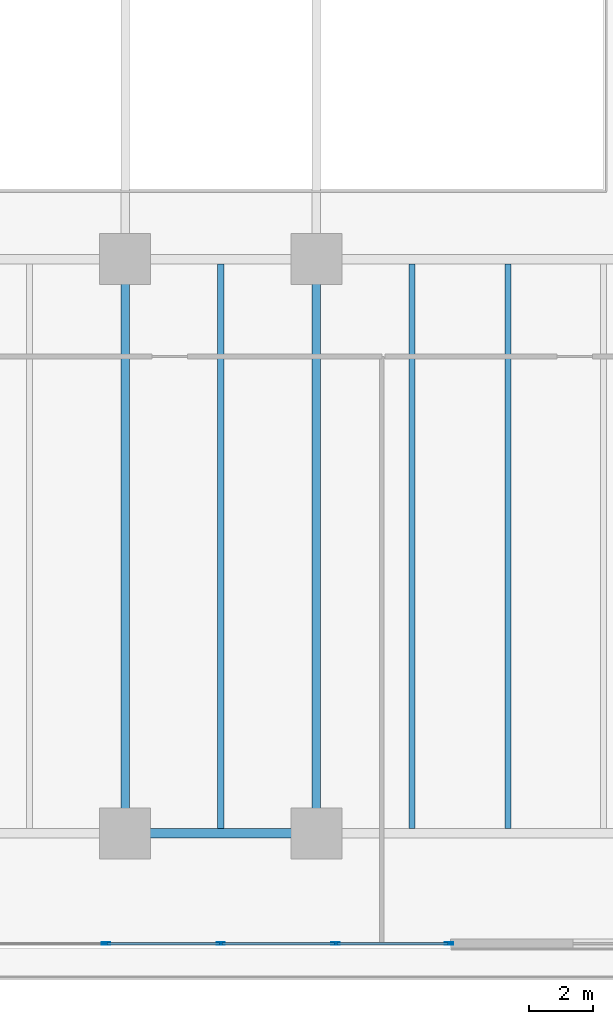
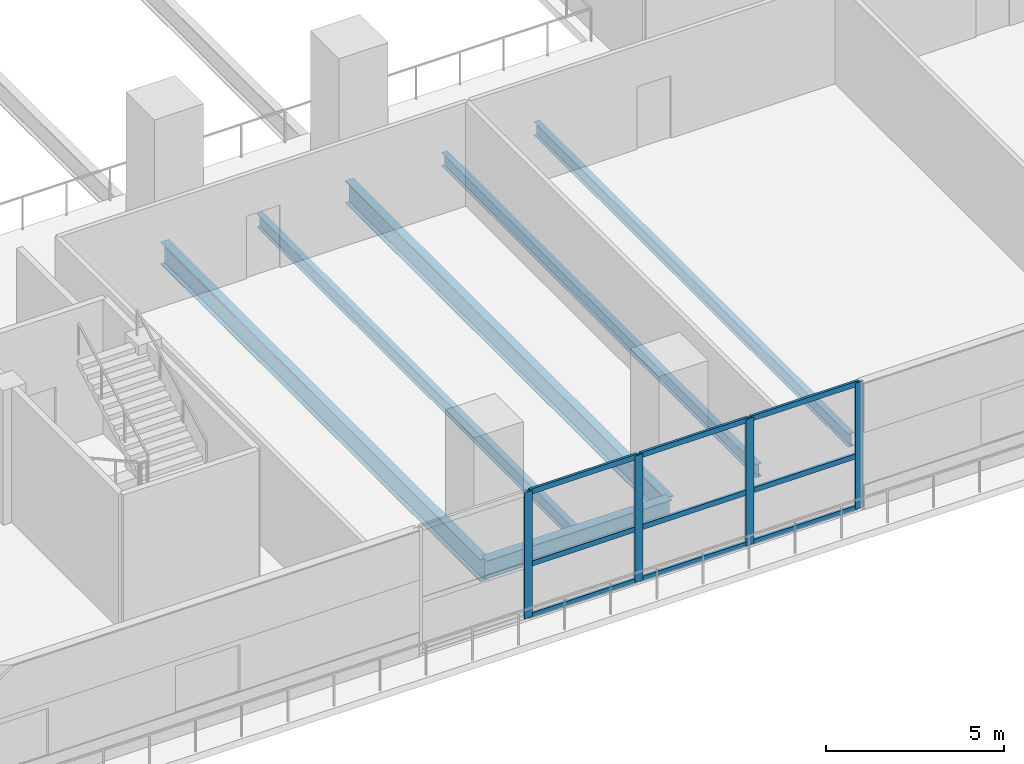
# One storey, part 4 of 27: 13 members, 6 beams, 1 element without a shape of its own.
"""IFC4 building model written with IfcOpenShell, lengths in metres."""

from ifc_helpers import new_model, si_unit, direction, frame, origin, origin_2d, place, context, subcontext, project, spatial, hollow_rectangle, i_section, extrude, material, layer, layer_set, material_profile, profile_set, type_object, element, aggregate, save


model = new_model("IFC4")

# Units and contexts
model_context = context("Model", 3, precision=1e-05, world=origin(), true_north=direction((0.0, 1.0)))
body_context = subcontext(model_context, "Body", "Model", "MODEL_VIEW")
ifc_project = project(units=[si_unit("LENGTHUNIT", "METRE"), si_unit("AREAUNIT", "SQUARE_METRE"), si_unit("VOLUMEUNIT", "CUBIC_METRE"), si_unit("PLANEANGLEUNIT", "RADIAN"), si_unit("MASSUNIT", "GRAM", prefix="KILO")], contexts=[model_context])

# Site, building, storey
site_placement = place(None, origin())
site = spatial("IfcSite", under=ifc_project, at=site_placement, CompositionType="ELEMENT")
building_placement = place(site_placement, origin())
building = spatial("IfcBuilding", under=site, at=building_placement, Name="Tanjung Sevakor Pilgrim Tower", CompositionType="ELEMENT")
storey_placement = place(building_placement, frame((0.0, 0.0, 14.85009765625)))
storey = spatial("IfcBuildingStorey", under=building, at=storey_placement, Name="L04", CompositionType="ELEMENT", Elevation=14.85009765625)

# Beams
ifc_material_1 = material(Name="Steel S355J2", Category="steel")
ifc_material_profile_1 = material_profile(ifc_material_1, i_section(OverallWidth=0.26806640625, OverallDepth=0.769775390625, WebThickness=0.015625, FlangeThickness=0.025390625, FilletRadius=0.0166015625, at=origin_2d()))
ifc_profile_set_1 = profile_set([ifc_material_profile_1], Name="Steel S355J2")
beam_type_1 = type_object("IfcBeamType", Name="BM-B-G1-UB_762x267x197", PredefinedType="BEAM", material=ifc_profile_set_1)
for number, where, z_axis, x_axis, name in (
    (1, (54.0, 6.60009765625, -0.6650390625), (0.0, 1.0, 0.0), (-1.0, 0.0, 0.0), "L04 Podium Girder NS X54-1"),
    (2, (60.0, 6.60009765625, -0.6650390625), (0.0, 1.0, 0.0), (-1.0, 0.0, 0.0), "L04 Podium Girder NS X60-1"),
):
    element("IfcBeam", number, at=place(storey_placement, frame(where, z_axis=z_axis, x_axis=x_axis)), inside=storey, type_object=beam_type_1, Name=name, PredefinedType="BEAM", context=body_context, shape_type="SweptSolid", body=[
        extrude(i_section(OverallWidth=0.26806640625, OverallDepth=0.769775390625, WebThickness=0.015625, FlangeThickness=0.025390625, FilletRadius=0.0166015625, at=origin_2d()), origin(), (0.0, 0.0, 1.0), 18.0),
    ])
ifc_material_2 = material(Name="Steel S355J2", Category="steel")
ifc_material_profile_2 = material_profile(ifc_material_2, i_section(OverallWidth=0.19140625, OverallDepth=0.4599609375, WebThickness=0.010009765625, FlangeThickness=0.01611328125, FilletRadius=0.01025390625, at=origin_2d()))
ifc_profile_set_2 = profile_set([ifc_material_profile_2], Name="Steel S355J2")
beam_type_2 = type_object("IfcBeamType", Name="BM-B-J2-UB_457x191x82", PredefinedType="JOIST", material=ifc_profile_set_2)
for number, where, z_axis, x_axis, name in (
    (3, (57.0, 6.75341796875, -0.510009765625), (0.0, 1.0, 0.0), (-1.0, 0.0, 0.0), "L04 Secondary Joist 025"),
    (4, (63.0, 6.75341796875, -0.510009765625), (0.0, 1.0, 0.0), (-1.0, 0.0, 0.0), "L04 Secondary Joist 027"),
    (5, (66.0, 6.75341796875, -0.510009765625), (0.0, 1.0, 0.0), (-1.0, 0.0, 0.0), "L04 Secondary Joist 029"),
):
    element("IfcBeam", number, at=place(storey_placement, frame(where, z_axis=z_axis, x_axis=x_axis)), inside=storey, type_object=beam_type_2, Name=name, PredefinedType="JOIST", context=body_context, shape_type="SweptSolid", body=[
        extrude(i_section(OverallWidth=0.19140625, OverallDepth=0.4599609375, WebThickness=0.010009765625, FlangeThickness=0.01611328125, FilletRadius=0.01025390625, at=origin_2d()), origin(), (0.0, 0.0, 1.0), 17.693115234375),
    ])
ifc_material_3 = material(Name="Steel S355J2", Category="steel")
ifc_material_profile_3 = material_profile(ifc_material_3, i_section(OverallWidth=0.30712890625, OverallDepth=0.6201171875, WebThickness=0.01416015625, FlangeThickness=0.023681640625, FilletRadius=0.0166015625, at=origin_2d()))
ifc_profile_set_3 = profile_set([ifc_material_profile_3], Name="Steel S355J2")
beam_type_3 = type_object("IfcBeamType", Name="BM-B-POD5-UB_610x305x179", PredefinedType="BEAM", material=ifc_profile_set_3)
beam_placement = place(storey_placement, frame((54.0, 6.60009765625, -0.590087890625), z_axis=(1.0, 0.0, 0.0), x_axis=(0.0, 1.0, 0.0)))
element("IfcBeam", 6, at=beam_placement, inside=storey, type_object=beam_type_3, Name="L04 Podium Girder EW Y6.6-4", PredefinedType="BEAM", context=body_context, shape_type="SweptSolid", body=[
    extrude(i_section(OverallWidth=0.30712890625, OverallDepth=0.6201171875, WebThickness=0.01416015625, FlangeThickness=0.023681640625, FilletRadius=0.0166015625, at=origin_2d()), origin(), (0.0, 0.0, 1.0), 6.0),
])

# Curtain wall, members
ifc_material_4 = material(Name="Aluminium 6063-T6 and Low-E Glass", Category="aluminium")
ifc_layer = layer(ifc_material_4, 0.179931640625)
ifc_layer_set = layer_set([ifc_layer], Name="CW-SYS-POD")
curtain_wall_type = type_object("IfcCurtainWallType", Name="CW-SYS-POD", PredefinedType="NOTDEFINED", material=ifc_layer_set)
curtain_wall_placement = place(storey_placement, origin())
curtain_wall = element("IfcCurtainWall", 7, at=curtain_wall_placement, inside=storey, type_object=curtain_wall_type, Name="L04 Curtain Wall CW-POD-L04-S", PredefinedType="NOTDEFINED")
ifc_material_5 = material(Name="Aluminium 6063-T6", Category="aluminium")
ifc_material_profile_4 = material_profile(ifc_material_5, hollow_rectangle(XDim=0.080078125, YDim=0.260009765625, WallThickness=0.0048828125, at=origin_2d()))
ifc_profile_set_4 = profile_set([ifc_material_profile_4], Name="Aluminium 6063-T6")
member_type_1 = type_object("IfcMemberType", Name="TYPE-CWM-3", PredefinedType="MULLION", material=ifc_profile_set_4)
member_1_placement = place(storey_placement, frame((53.39990234375, 3.139892578125, 0.0), z_axis=(0.0, 0.0, 1.0), x_axis=(0.0, 1.0, 0.0)))
member_1 = element("IfcMember", 8, at=member_1_placement, type_object=member_type_1, Name="CW-POD mullion 2", PredefinedType="MULLION", context=body_context, shape_type="SweptSolid", body=[
    extrude(hollow_rectangle(XDim=0.080078125, YDim=0.260009765625, WallThickness=0.0048828125, at=origin_2d()), origin(), (0.0, 0.0, 1.0), 4.33984375),
])
member_2_placement = place(storey_placement, frame((57.0, 3.139892578125, 0.0), z_axis=(0.0, 0.0, 1.0), x_axis=(0.0, 1.0, 0.0)))
member_2 = element("IfcMember", 9, at=member_2_placement, type_object=member_type_1, Name="CW-POD mullion 3", PredefinedType="MULLION", context=body_context, shape_type="SweptSolid", body=[
    extrude(hollow_rectangle(XDim=0.080078125, YDim=0.260009765625, WallThickness=0.0048828125, at=origin_2d()), origin(), (0.0, 0.0, 1.0), 4.33984375),
])
member_3_placement = place(storey_placement, frame((60.60009765625, 3.139892578125, 0.0), z_axis=(0.0, 0.0, 1.0), x_axis=(0.0, 1.0, 0.0)))
member_3 = element("IfcMember", 10, at=member_3_placement, type_object=member_type_1, Name="CW-POD mullion 4", PredefinedType="MULLION", context=body_context, shape_type="SweptSolid", body=[
    extrude(hollow_rectangle(XDim=0.080078125, YDim=0.260009765625, WallThickness=0.0048828125, at=origin_2d()), origin(), (0.0, 0.0, 1.0), 4.33984375),
])
member_4_placement = place(storey_placement, frame((64.159912109375, 3.139892578125, 0.0), z_axis=(0.0, 0.0, 1.0), x_axis=(0.0, 1.0, 0.0)))
member_4 = element("IfcMember", 11, at=member_4_placement, type_object=member_type_1, Name="CW-POD mullion 5", PredefinedType="MULLION", context=body_context, shape_type="SweptSolid", body=[
    extrude(hollow_rectangle(XDim=0.080078125, YDim=0.260009765625, WallThickness=0.0048828125, at=origin_2d()), origin(), (0.0, 0.0, 1.0), 4.33984375),
])
ifc_material_6 = material(Name="Aluminium 6063-T6", Category="aluminium")
ifc_material_profile_5 = material_profile(ifc_material_6, hollow_rectangle(XDim=0.080078125, YDim=0.179931640625, WallThickness=0.0048828125, at=origin_2d()))
ifc_profile_set_5 = profile_set([ifc_material_profile_5], Name="Aluminium 6063-T6")
member_type_2 = type_object("IfcMemberType", Name="TYPE-CWT-3", PredefinedType="USERDEFINED", material=ifc_profile_set_5)
member_5_placement = place(storey_placement, frame((53.43994140625, 3.139892578125, 0.039794921875), z_axis=(1.0, 0.0, 0.0), x_axis=(0.0, 1.0, 0.0)))
member_5 = element("IfcMember", 12, at=member_5_placement, type_object=member_type_2, Name="CW-POD transom 2.1", ObjectType="TRANSOM", PredefinedType="USERDEFINED", context=body_context, shape_type="SweptSolid", body=[
    extrude(hollow_rectangle(XDim=0.080078125, YDim=0.179931640625, WallThickness=0.0048828125, at=origin_2d()), origin(), (0.0, 0.0, 1.0), 3.52001953125),
])
member_6_placement = place(storey_placement, frame((53.43994140625, 3.139892578125, 1.82275390625), z_axis=(1.0, 0.0, 0.0), x_axis=(0.0, 1.0, 0.0)))
member_6 = element("IfcMember", 13, at=member_6_placement, type_object=member_type_2, Name="CW-POD transom 2.2", ObjectType="TRANSOM", PredefinedType="USERDEFINED", context=body_context, shape_type="SweptSolid", body=[
    extrude(hollow_rectangle(XDim=0.080078125, YDim=0.179931640625, WallThickness=0.0048828125, at=origin_2d()), origin(), (0.0, 0.0, 1.0), 3.52001953125),
])
member_7_placement = place(storey_placement, frame((53.43994140625, 3.139892578125, 4.2998046875), z_axis=(1.0, 0.0, 0.0), x_axis=(0.0, 1.0, 0.0)))
member_7 = element("IfcMember", 14, at=member_7_placement, type_object=member_type_2, Name="CW-POD transom 2.3", ObjectType="TRANSOM", PredefinedType="USERDEFINED", context=body_context, shape_type="SweptSolid", body=[
    extrude(hollow_rectangle(XDim=0.080078125, YDim=0.179931640625, WallThickness=0.0048828125, at=origin_2d()), origin(), (0.0, 0.0, 1.0), 3.52001953125),
])
member_8_placement = place(storey_placement, frame((57.0400390625, 3.139892578125, 0.039794921875), z_axis=(1.0, 0.0, 0.0), x_axis=(0.0, 1.0, 0.0)))
member_8 = element("IfcMember", 15, at=member_8_placement, type_object=member_type_2, Name="CW-POD transom 3.1", ObjectType="TRANSOM", PredefinedType="USERDEFINED", context=body_context, shape_type="SweptSolid", body=[
    extrude(hollow_rectangle(XDim=0.080078125, YDim=0.179931640625, WallThickness=0.0048828125, at=origin_2d()), origin(), (0.0, 0.0, 1.0), 3.52001953125),
])
member_9_placement = place(storey_placement, frame((57.0400390625, 3.139892578125, 1.82275390625), z_axis=(1.0, 0.0, 0.0), x_axis=(0.0, 1.0, 0.0)))
member_9 = element("IfcMember", 16, at=member_9_placement, type_object=member_type_2, Name="CW-POD transom 3.2", ObjectType="TRANSOM", PredefinedType="USERDEFINED", context=body_context, shape_type="SweptSolid", body=[
    extrude(hollow_rectangle(XDim=0.080078125, YDim=0.179931640625, WallThickness=0.0048828125, at=origin_2d()), origin(), (0.0, 0.0, 1.0), 3.52001953125),
])
member_10_placement = place(storey_placement, frame((57.0400390625, 3.139892578125, 4.2998046875), z_axis=(1.0, 0.0, 0.0), x_axis=(0.0, 1.0, 0.0)))
member_10 = element("IfcMember", 17, at=member_10_placement, type_object=member_type_2, Name="CW-POD transom 3.3", ObjectType="TRANSOM", PredefinedType="USERDEFINED", context=body_context, shape_type="SweptSolid", body=[
    extrude(hollow_rectangle(XDim=0.080078125, YDim=0.179931640625, WallThickness=0.0048828125, at=origin_2d()), origin(), (0.0, 0.0, 1.0), 3.52001953125),
])
member_11_placement = place(storey_placement, frame((60.639892578125, 3.139892578125, 0.039794921875), z_axis=(1.0, 0.0, 0.0), x_axis=(0.0, 1.0, 0.0)))
member_11 = element("IfcMember", 18, at=member_11_placement, type_object=member_type_2, Name="CW-POD transom 4.1", ObjectType="TRANSOM", PredefinedType="USERDEFINED", context=body_context, shape_type="SweptSolid", body=[
    extrude(hollow_rectangle(XDim=0.080078125, YDim=0.179931640625, WallThickness=0.0048828125, at=origin_2d()), origin(), (0.0, 0.0, 1.0), 3.480224609375),
])
member_12_placement = place(storey_placement, frame((60.639892578125, 3.139892578125, 1.82275390625), z_axis=(1.0, 0.0, 0.0), x_axis=(0.0, 1.0, 0.0)))
member_12 = element("IfcMember", 19, at=member_12_placement, type_object=member_type_2, Name="CW-POD transom 4.2", ObjectType="TRANSOM", PredefinedType="USERDEFINED", context=body_context, shape_type="SweptSolid", body=[
    extrude(hollow_rectangle(XDim=0.080078125, YDim=0.179931640625, WallThickness=0.0048828125, at=origin_2d()), origin(), (0.0, 0.0, 1.0), 3.480224609375),
])
member_13_placement = place(storey_placement, frame((60.639892578125, 3.139892578125, 4.2998046875), z_axis=(1.0, 0.0, 0.0), x_axis=(0.0, 1.0, 0.0)))
member_13 = element("IfcMember", 20, at=member_13_placement, type_object=member_type_2, Name="CW-POD transom 4.3", ObjectType="TRANSOM", PredefinedType="USERDEFINED", context=body_context, shape_type="SweptSolid", body=[
    extrude(hollow_rectangle(XDim=0.080078125, YDim=0.179931640625, WallThickness=0.0048828125, at=origin_2d()), origin(), (0.0, 0.0, 1.0), 3.480224609375),
])
aggregate(curtain_wall, [member_1, member_2, member_3, member_4, member_5, member_6, member_7, member_8, member_9, member_10, member_11, member_12, member_13])

save(model, "model.ifc")
